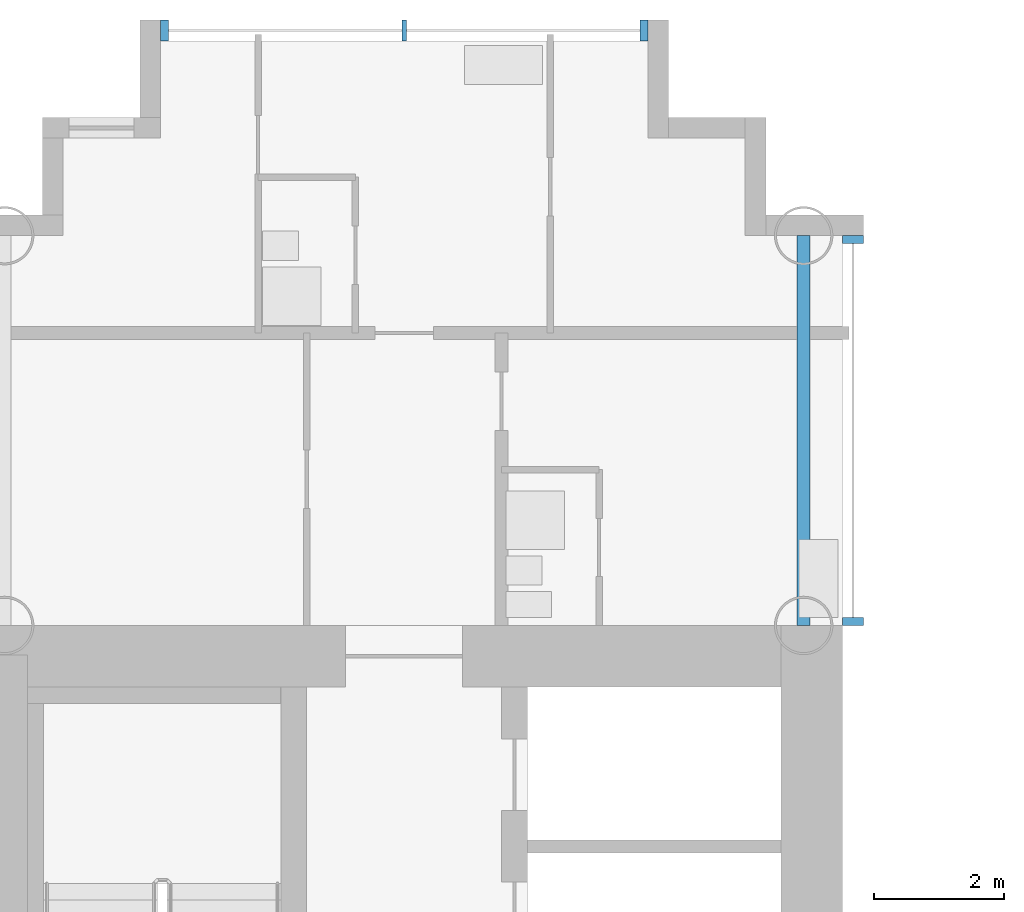
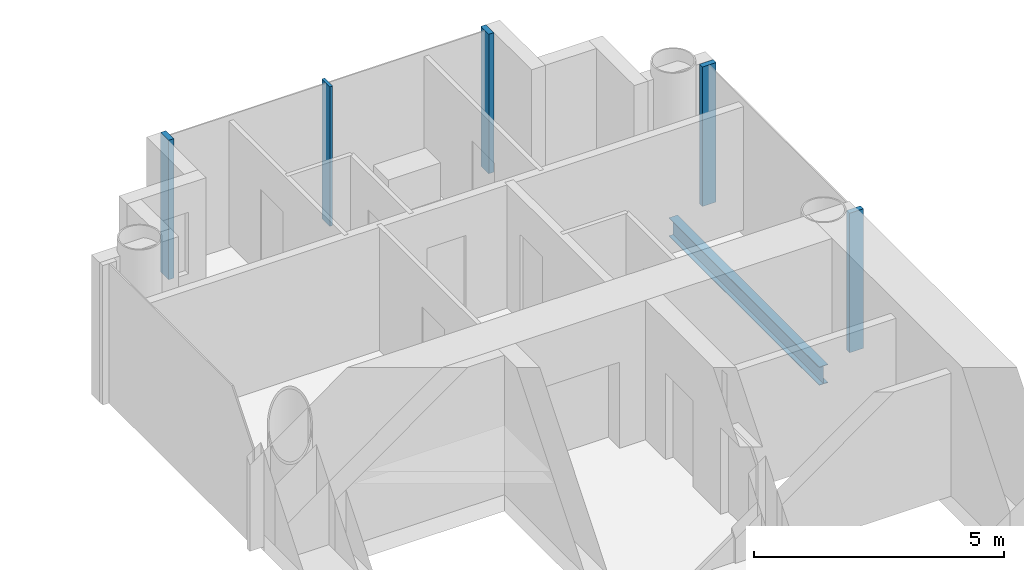
# One storey, part 6 of 22: 5 members, 1 beam, 2 elements without a shape of their own.
"""IFC4 building model written with IfcOpenShell, lengths in metres."""

from ifc_helpers import new_model, si_unit, direction, frame, origin, origin_2d, place, context, subcontext, project, spatial, rectangle, i_section, extrude, material, layer, layer_set, material_profile, profile_set, type_object, element, aggregate, save


model = new_model("IFC4")

# Units and contexts
model_context = context("Model", 3, precision=1e-05, world=origin(), true_north=direction((0.0, 1.0)))
body_context = subcontext(model_context, "Body", "Model", "MODEL_VIEW")
ifc_project = project(units=[si_unit("LENGTHUNIT", "METRE"), si_unit("AREAUNIT", "SQUARE_METRE"), si_unit("VOLUMEUNIT", "CUBIC_METRE"), si_unit("PLANEANGLEUNIT", "RADIAN"), si_unit("MASSUNIT", "GRAM", prefix="KILO")], contexts=[model_context])

# Site, building, storey
site_placement = place(None, origin())
site = spatial("IfcSite", under=ifc_project, at=site_placement, CompositionType="ELEMENT")
building_placement = place(site_placement, origin())
building = spatial("IfcBuilding", under=site, at=building_placement, Name="Ipe Terrace Towers", CompositionType="ELEMENT")
storey_placement = place(building_placement, frame((0.0, 0.0, 90.199951171875)))
storey = spatial("IfcBuildingStorey", under=building, at=storey_placement, Name="L24", CompositionType="ELEMENT", Elevation=90.199951171875)

# Beam
ifc_material_1 = material(Name="Steel S355", Category="steel")
ifc_material_profile_1 = material_profile(ifc_material_1, i_section(OverallWidth=0.199951171875, OverallDepth=0.449951171875, WebThickness=0.009033203125, FlangeThickness=0.013916015625, at=origin_2d()), Name="H-450x200x9x14")
ifc_profile_set_1 = profile_set([ifc_material_profile_1], Name="Steel S355")
beam_type = type_object("IfcBeamType", Name="H08 EDGE BEAM H-450x200x9x14", PredefinedType="BEAM", material=ifc_profile_set_1)
beam_placement = place(storey_placement, frame((42.14990234375, 15.75, -0.625), z_axis=(0.0, 1.0, 0.0), x_axis=(-1.0, 0.0, 0.0)))
element("IfcBeam", 1, at=beam_placement, inside=storey, type_object=beam_type, Name="Edge beam T2-EB-A01-A03", PredefinedType="BEAM", context=body_context, shape_type="SweptSolid", body=[
    extrude(i_section(OverallWidth=0.199951171875, OverallDepth=0.449951171875, WebThickness=0.009033203125, FlangeThickness=0.013916015625, at=origin_2d()), origin(), (0.0, 0.0, 1.0), 6.0),
])

# Curtain wall, members
ifc_material_2 = material(Name="Aluminium alloy 6063-T6", Category="aluminium")
ifc_layer = layer(ifc_material_2, 0.320068359375)
ifc_layer_set = layer_set([ifc_layer], Name="TOWER UNITISED CURTAIN WALL")
curtain_wall_type = type_object("IfcCurtainWallType", Name="TOWER UNITISED CURTAIN WALL", PredefinedType="NOTDEFINED", material=ifc_layer_set)
curtain_wall_1_placement = place(storey_placement, origin())
curtain_wall_1 = element("IfcCurtainWall", 2, at=curtain_wall_1_placement, inside=storey, type_object=curtain_wall_type, Name="T2-CW-L24-16b curtain wall", PredefinedType="NOTDEFINED")
ifc_material_3 = material(Name="Aluminium alloy 6063-T6", Category="aluminium")
ifc_material_profile_2 = material_profile(ifc_material_3, rectangle(XDim=0.320068359375, YDim=0.1201171875, at=origin_2d()), Name="TOWER UNITISED CORNER MULLION 320 x 120")
ifc_profile_set_2 = profile_set([ifc_material_profile_2], Name="Aluminium alloy 6063-T6")
member_type_1 = type_object("IfcMemberType", Name="TOWER UNITISED CORNER MULLION 320 x 120", PredefinedType="MULLION", material=ifc_profile_set_2)
member_1_placement = place(storey_placement, frame((42.909912109375, 15.81103515625, -0.300048828125), z_axis=(0.0, 0.0, 1.0), x_axis=(1.0, 0.0, 0.0)))
member_1 = element("IfcMember", 3, at=member_1_placement, type_object=member_type_1, Name="T2-CW-L24-16b mullion 1", PredefinedType="MULLION", context=body_context, shape_type="SweptSolid", body=[
    extrude(rectangle(XDim=0.320068359375, YDim=0.1201171875, at=origin_2d()), origin(), (0.0, 0.0, 1.0), 3.400146484375),
])
member_2_placement = place(storey_placement, frame((42.909912109375, 21.68994140625, -0.300048828125), z_axis=(0.0, 0.0, 1.0), x_axis=(1.0, 0.0, 0.0)))
member_2 = element("IfcMember", 4, at=member_2_placement, type_object=member_type_1, Name="T2-CW-L24-16b mullion 2", PredefinedType="MULLION", context=body_context, shape_type="SweptSolid", body=[
    extrude(rectangle(XDim=0.320068359375, YDim=0.1201171875, at=origin_2d()), origin(), (0.0, 0.0, 1.0), 3.400146484375),
])
aggregate(curtain_wall_1, [member_1, member_2])

curtain_wall_2_placement = place(storey_placement, origin())
curtain_wall_2 = element("IfcCurtainWall", 5, at=curtain_wall_2_placement, inside=storey, type_object=curtain_wall_type, Name="T2-CW-L24-21a curtain wall", PredefinedType="NOTDEFINED")
member_3_placement = place(storey_placement, frame((39.68994140625, 24.909912109375, -0.300048828125), z_axis=(0.0, 0.0, 1.0), x_axis=(0.0, 1.0, 0.0)))
member_3 = element("IfcMember", 6, at=member_3_placement, type_object=member_type_1, Name="T2-CW-L24-21a mullion 1", PredefinedType="MULLION", context=body_context, shape_type="SweptSolid", body=[
    extrude(rectangle(XDim=0.320068359375, YDim=0.1201171875, at=origin_2d()), origin(), (0.0, 0.0, 1.0), 3.400146484375),
])
member_4_placement = place(storey_placement, frame((32.31005859375, 24.909912109375, -0.300048828125), z_axis=(0.0, 0.0, 1.0), x_axis=(0.0, 1.0, 0.0)))
member_4 = element("IfcMember", 7, at=member_4_placement, type_object=member_type_1, Name="T2-CW-L24-21a mullion 3", PredefinedType="MULLION", context=body_context, shape_type="SweptSolid", body=[
    extrude(rectangle(XDim=0.320068359375, YDim=0.1201171875, at=origin_2d()), origin(), (0.0, 0.0, 1.0), 3.400146484375),
])
ifc_material_4 = material(Name="Aluminium alloy 6063-T6", Category="aluminium")
ifc_material_profile_3 = material_profile(ifc_material_4, rectangle(XDim=0.320068359375, YDim=0.06494140625, at=origin_2d()), Name="TOWER UNITISED MULLION 320 x 65")
ifc_profile_set_3 = profile_set([ifc_material_profile_3], Name="Aluminium alloy 6063-T6")
member_type_2 = type_object("IfcMemberType", Name="TOWER UNITISED MULLION 320 x 65", PredefinedType="MULLION", material=ifc_profile_set_3)
member_5_placement = place(storey_placement, frame((36.0, 24.909912109375, -0.300048828125), z_axis=(0.0, 0.0, 1.0), x_axis=(0.0, 1.0, 0.0)))
member_5 = element("IfcMember", 8, at=member_5_placement, type_object=member_type_2, Name="T2-CW-L24-21a mullion 2", PredefinedType="MULLION", context=body_context, shape_type="SweptSolid", body=[
    extrude(rectangle(XDim=0.320068359375, YDim=0.06494140625, at=origin_2d()), origin(), (0.0, 0.0, 1.0), 3.400146484375),
])
aggregate(curtain_wall_2, [member_3, member_5, member_4])

save(model, "model.ifc")
